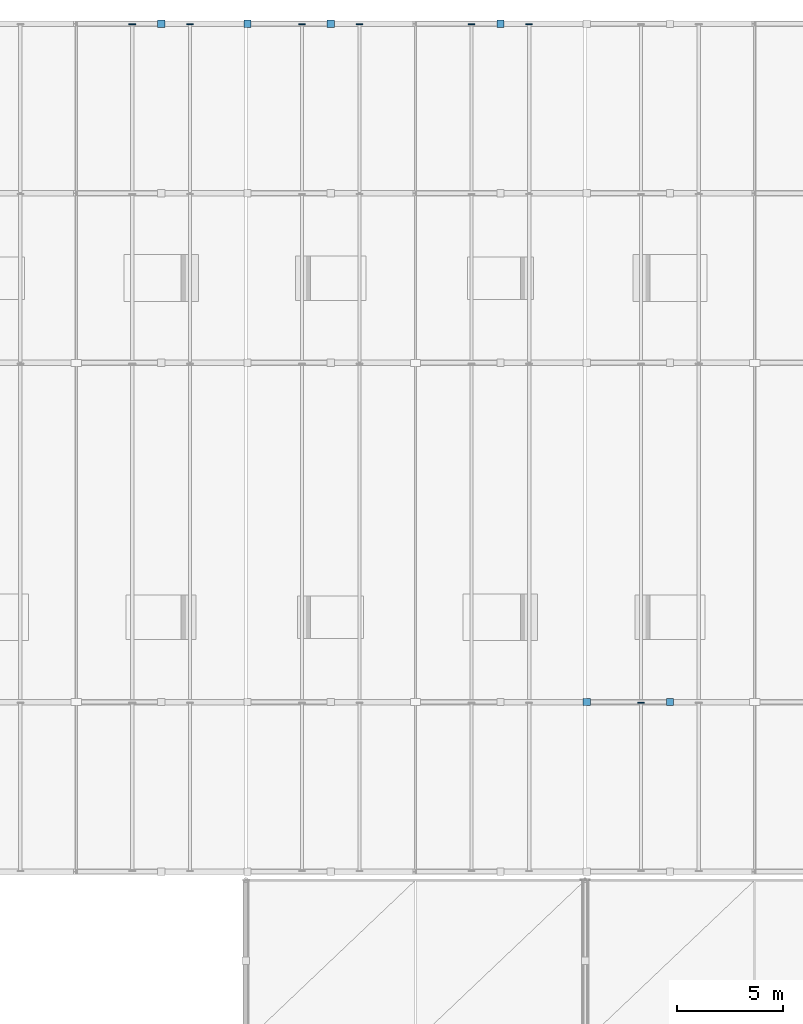
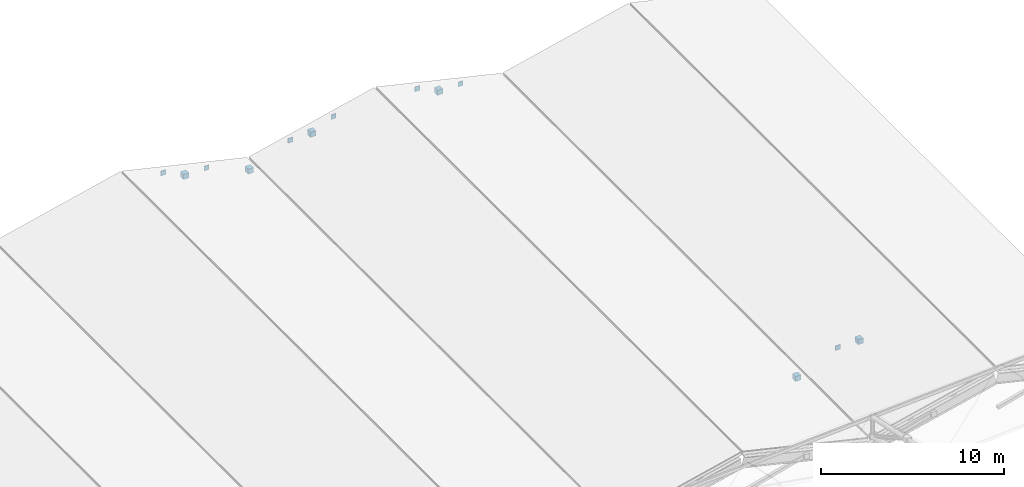
# One storey, part 56 of 67: 13 discrete accessories.
"""IFC4 building model written with IfcOpenShell, lengths in metres."""

import ifcopenshell
import ifcopenshell.guid

model = None  # the IFC model being written
_history = None  # IfcOwnerHistory: only IFC2X3 demands one
_inside = {}  # id of a spatial element -> (the spatial element, [elements in it])
_under = {}  # id of a project, library or spatial element -> (it, [spatial elements below it])
_declared = {}  # id of a project -> (the project, [libraries it declares])
_typed = {}  # id of a type object -> (the type object, [elements of that type])
_made_of = {}  # id of a material, layer set ... -> (it, [elements and type objects made of it])


def new_model(schema):
    """Start an empty IFC model of exactly this schema.

    Asked for "IFC4X3", IfcOpenShell would pick the latest addendum, in which some entities
    have other attributes; the version numbers below select the first issue.
    IFC2X3 requires an IfcOwnerHistory on every rooted entity: one is made here for all.
    """
    global model, _history
    if schema == "IFC4X3":
        model = ifcopenshell.file(schema_version=(4, 3, 0, 0))
    else:
        model = ifcopenshell.file(schema=schema)
    _inside.clear()
    _under.clear()
    _declared.clear()
    _typed.clear()
    _made_of.clear()
    _history = None
    if model.schema == "IFC2X3":
        org = make("IfcOrganization", Name="unknown")
        user = make(
            "IfcPersonAndOrganization",
            ThePerson=make("IfcPerson", FamilyName="unknown"),
            TheOrganization=org,
        )
        app = make(
            "IfcApplication",
            ApplicationDeveloper=org,
            Version="unknown",
            ApplicationFullName="unknown",
            ApplicationIdentifier="unknown",
        )
        _history = make(
            "IfcOwnerHistory",
            OwningUser=user,
            OwningApplication=app,
            ChangeAction="ADDED",
            CreationDate=0,
        )
    return model


def make(cls, **values):
    """One entity of the class cls with the attributes given. An attribute that is None is left unset."""
    return model.create_entity(
        cls, **{name: value for name, value in values.items() if value is not None}
    )


def rooted(cls, **values):
    """An entity with a GlobalId (a new one), such as an element, a storey or a relation."""
    return make(cls, GlobalId=ifcopenshell.guid.new(), OwnerHistory=_history, **values)


def si_unit(unit_type, name, prefix=None):
    """IfcSIUnit, for example si_unit("LENGTHUNIT", "METRE", prefix="MILLI")."""
    return make("IfcSIUnit", UnitType=unit_type, Prefix=prefix, Name=name)


def assignment(units):
    """IfcUnitAssignment: the units of a project."""
    return None if units is None else make("IfcUnitAssignment", Units=units)


def point(xyz):
    """IfcCartesianPoint."""
    return None if xyz is None else make("IfcCartesianPoint", Coordinates=xyz)


def direction(xyz):
    """IfcDirection."""
    return None if xyz is None else make("IfcDirection", DirectionRatios=xyz)


def frame(location, z_axis=None, x_axis=None):
    """IfcAxis2Placement3D, a coordinate frame: its origin and axes. An axis left out is left unset."""
    return make(
        "IfcAxis2Placement3D",
        Location=point(location),
        Axis=direction(z_axis),
        RefDirection=direction(x_axis),
    )


def frame_2d(location, x_axis=None):
    """IfcAxis2Placement2D, a coordinate frame in the plane: its origin and x axis."""
    return make(
        "IfcAxis2Placement2D", Location=point(location), RefDirection=direction(x_axis)
    )


def origin():
    """The frame at (0, 0, 0) with its axes left unset."""
    return frame((0.0, 0.0, 0.0))


def origin_2d():
    """The frame at (0, 0) in the plane with its x axis left unset."""
    return frame_2d((0.0, 0.0))


def place(relative_to, where):
    """IfcLocalPlacement: puts the frame where relative to a parent placement (None: the world)."""
    return make(
        "IfcLocalPlacement", PlacementRelTo=relative_to, RelativePlacement=where
    )


def context(
    kind, dimensions, precision=None, world=None, true_north=None, identifier=None
):
    """IfcGeometricRepresentationContext, for example the 3D "Model" context."""
    return make(
        "IfcGeometricRepresentationContext",
        ContextIdentifier=identifier,
        ContextType=kind,
        CoordinateSpaceDimension=dimensions,
        Precision=precision,
        WorldCoordinateSystem=world,
        TrueNorth=true_north,
    )


def subcontext(parent, identifier, kind, view, scale=None):
    """IfcGeometricRepresentationSubContext, for example "Body" below "Model"."""
    return make(
        "IfcGeometricRepresentationSubContext",
        ContextIdentifier=identifier,
        ContextType=kind,
        ParentContext=parent,
        TargetScale=scale,
        TargetView=view,
    )


def project(units=None, contexts=None):
    """IfcProject with its units and contexts."""
    return rooted(
        "IfcProject",
        Name="project",
        RepresentationContexts=contexts,
        UnitsInContext=assignment(units),
    )


def spatial(cls, under=None, at=None, **own):
    """A site, building, storey or space (cls), placed at a placement, below another one or the project."""
    s = rooted(cls, ObjectPlacement=at, **own)
    if under is not None:
        _under.setdefault(under.id(), (under, []))[1].append(s)
    return s


def profile(cls, at=None, kind="AREA", **sizes):
    """A parametric profile (cls). Its sizes go by their IFC names, for example OverallWidth=200.0."""
    return make(cls, ProfileType=kind, Position=at, **sizes)


def rectangle(**sizes):
    """IfcRectangleProfileDef."""
    return profile("IfcRectangleProfileDef", **sizes)


def extrude(swept, where, along, depth):
    """IfcExtrudedAreaSolid: the profile swept, set in the frame where, extruded along a direction by depth."""
    return make(
        "IfcExtrudedAreaSolid",
        SweptArea=swept,
        Position=where,
        ExtrudedDirection=direction(along),
        Depth=depth,
    )


def shape(context_of_items, identifier, shape_type, items):
    """IfcShapeRepresentation: the items that make up one representation, for example the "Body"."""
    return make(
        "IfcShapeRepresentation",
        ContextOfItems=context_of_items,
        RepresentationIdentifier=identifier,
        RepresentationType=shape_type,
        Items=items,
    )


def material(Name=None, Category=None):
    """IfcMaterial."""
    return make("IfcMaterial", Name=Name, Category=Category)


def made_of(thing, what):
    """Note that an element or type object is made of a material, layer set ...; save() writes the relation."""
    if what is not None:
        _made_of.setdefault(what.id(), (what, []))[1].append(thing)
    return thing


def type_object(cls, material=None, **own):
    """A type object (cls), such as IfcWallType, which elements share."""
    return made_of(rooted(cls, **own), material)


def element(
    cls,
    number,
    at=None,
    inside=None,
    cuts=None,
    type_object=None,
    material=None,
    context=None,
    identifier="Body",
    shape_type=None,
    held_by="IfcProductDefinitionShape",
    body=None,
    shapes=None,
    **own,
):
    """One element of the class cls, such as IfcWall. Its Tag is "e" and its number.

    at: its placement. inside: the storey or other place that contains it. cuts: it is an
    opening in that element (IfcRelVoidsElement). A single representation is given by context,
    identifier, shape_type and body (its items); several are given by shapes. held_by: the class
    of the entity that holds the representations. save() writes the other relations.
    """
    e = rooted(cls, Tag="e%d" % number, ObjectPlacement=at, **own)
    if body is not None:
        shapes = [shape(context, identifier, shape_type, body)]
    if shapes is not None:
        e.Representation = make(held_by, Representations=shapes)
    if inside is not None:
        _inside.setdefault(inside.id(), (inside, []))[1].append(e)
    if cuts is not None:
        rooted(
            "IfcRelVoidsElement", RelatingBuildingElement=cuts, RelatedOpeningElement=e
        )
    if type_object is not None:
        _typed.setdefault(type_object.id(), (type_object, []))[1].append(e)
    return made_of(e, material)


def aggregate(whole, parts):
    """IfcRelAggregates: a whole, such as a stair, and the parts it consists of."""
    return rooted("IfcRelAggregates", RelatingObject=whole, RelatedObjects=parts)


def save(model, path):
    """Write the relations noted so far, then the file.

    IfcRelAggregates (storeys below a building ...), IfcRelContainedInSpatialStructure (elements
    in a storey), IfcRelDefinesByType, IfcRelAssociatesMaterial and IfcRelDeclares: one each for
    every whole, place, type object, material and project.
    """
    for whole, parts in _under.values():
        aggregate(whole, parts)
    for where, things in _inside.values():
        rooted(
            "IfcRelContainedInSpatialStructure",
            RelatedElements=things,
            RelatingStructure=where,
        )
    for kind, things in _typed.values():
        rooted("IfcRelDefinesByType", RelatedObjects=things, RelatingType=kind)
    for what, things in _made_of.values():
        rooted("IfcRelAssociatesMaterial", RelatedObjects=things, RelatingMaterial=what)
    for by, libraries in _declared.values():
        rooted("IfcRelDeclares", RelatingContext=by, RelatedDefinitions=libraries)
    model.write(path)


model = new_model("IFC4")

# Units and contexts
model_context = context("Model", 3, precision=1e-05, world=origin(), true_north=direction((0.0, 1.0)))
body_context = subcontext(model_context, "Body", "Model", "MODEL_VIEW")
ifc_project = project(units=[si_unit("LENGTHUNIT", "METRE"), si_unit("AREAUNIT", "SQUARE_METRE"), si_unit("VOLUMEUNIT", "CUBIC_METRE"), si_unit("PLANEANGLEUNIT", "RADIAN"), si_unit("MASSUNIT", "GRAM", prefix="KILO")], contexts=[model_context])

# Site, building, storey
site_placement = place(None, origin())
site = spatial("IfcSite", under=ifc_project, at=site_placement, CompositionType="ELEMENT")
building_placement = place(site_placement, origin())
building = spatial("IfcBuilding", under=site, at=building_placement, Name="Drelvath Fold Interchange", CompositionType="ELEMENT")
storey_placement = place(building_placement, frame((0.0, 0.0, 15.60009765625)))
storey = spatial("IfcBuildingStorey", under=building, at=storey_placement, Name="L03", CompositionType="ELEMENT", Elevation=15.60009765625)

# Discrete accessories
ifc_material = material(Name="Steel ASTM A572 Grade 50", Category="steel")
discrete_accessory_type = type_object("IfcDiscreteAccessoryType", Name="AC-CAP380", PredefinedType="BRACKET", material=ifc_material)
discrete_accessory_1_placement = place(storey_placement, frame((48.0048828125, 99.0, 0.654296875), z_axis=(0.0, 0.0, 1.0), x_axis=(1.0, 0.0, 0.0)))
element("IfcDiscreteAccessory", 1, at=discrete_accessory_1_placement, inside=storey, type_object=discrete_accessory_type, Name="Welded hollow member end cap 413", PredefinedType="BRACKET", context=body_context, shape_type="SweptSolid", body=[
    extrude(rectangle(XDim=0.343017578125, YDim=0.343017578125, at=origin_2d()), origin(), (0.0, 0.0, 1.0), 0.343017578125),
])
for number, where, z_axis, x_axis, name in (
    (2, (46.639892578125, 98.965087890625, 1.2998046875), (0.0, 0.0, 1.0), (1.0, 0.0, 0.0), "Welded hollow member end cap 418"),
    (3, (49.360107421875, 98.965087890625, 0.6708984375), (0.0, 0.0, 1.0), (1.0, 0.0, 0.0), "Welded hollow member end cap 423"),
):
    element("IfcDiscreteAccessory", number, at=place(storey_placement, frame(where, z_axis=z_axis, x_axis=x_axis)), inside=storey, type_object=discrete_accessory_type, Name=name, PredefinedType="BRACKET", context=body_context, shape_type="SweptSolid", body=[
        extrude(rectangle(XDim=0.31396484375, YDim=0.0400390625, at=origin_2d()), origin(), (0.0, 0.0, 1.0), 0.31396484375),
    ])
for number, where, z_axis, x_axis, name in (
    (4, (52.074951171875, 99.0, -0.42236328125), (0.0, 0.0, 1.0), (1.0, 0.0, 0.0), "Welded hollow member end cap 437"),
    (5, (56.0048828125, 99.0, 0.654296875), (0.0, 0.0, 1.0), (1.0, 0.0, 0.0), "Welded hollow member end cap 438"),
):
    element("IfcDiscreteAccessory", number, at=place(storey_placement, frame(where, z_axis=z_axis, x_axis=x_axis)), inside=storey, type_object=discrete_accessory_type, Name=name, PredefinedType="BRACKET", context=body_context, shape_type="SweptSolid", body=[
        extrude(rectangle(XDim=0.343017578125, YDim=0.343017578125, at=origin_2d()), origin(), (0.0, 0.0, 1.0), 0.343017578125),
    ])
for number, where, z_axis, x_axis, name in (
    (6, (54.639892578125, 98.965087890625, 0.6708984375), (0.0, 0.0, 1.0), (1.0, 0.0, 0.0), "Welded hollow member end cap 443"),
    (7, (57.360107421875, 98.965087890625, 1.2998046875), (0.0, 0.0, 1.0), (1.0, 0.0, 0.0), "Welded hollow member end cap 448"),
):
    element("IfcDiscreteAccessory", number, at=place(storey_placement, frame(where, z_axis=z_axis, x_axis=x_axis)), inside=storey, type_object=discrete_accessory_type, Name=name, PredefinedType="BRACKET", context=body_context, shape_type="SweptSolid", body=[
        extrude(rectangle(XDim=0.31396484375, YDim=0.0400390625, at=origin_2d()), origin(), (0.0, 0.0, 1.0), 0.31396484375),
    ])
discrete_accessory_2_placement = place(storey_placement, frame((64.0048828125, 99.0, 0.654296875), z_axis=(0.0, 0.0, 1.0), x_axis=(1.0, 0.0, 0.0)))
element("IfcDiscreteAccessory", 8, at=discrete_accessory_2_placement, inside=storey, type_object=discrete_accessory_type, Name="Welded hollow member end cap 458", PredefinedType="BRACKET", context=body_context, shape_type="SweptSolid", body=[
    extrude(rectangle(XDim=0.343017578125, YDim=0.343017578125, at=origin_2d()), origin(), (0.0, 0.0, 1.0), 0.343017578125),
])
for number, where, z_axis, x_axis, name in (
    (9, (62.639892578125, 98.965087890625, 1.2998046875), (0.0, 0.0, 1.0), (1.0, 0.0, 0.0), "Welded hollow member end cap 463"),
    (10, (65.360107421875, 98.965087890625, 0.6708984375), (0.0, 0.0, 1.0), (1.0, 0.0, 0.0), "Welded hollow member end cap 468"),
):
    element("IfcDiscreteAccessory", number, at=place(storey_placement, frame(where, z_axis=z_axis, x_axis=x_axis)), inside=storey, type_object=discrete_accessory_type, Name=name, PredefinedType="BRACKET", context=body_context, shape_type="SweptSolid", body=[
        extrude(rectangle(XDim=0.31396484375, YDim=0.0400390625, at=origin_2d()), origin(), (0.0, 0.0, 1.0), 0.31396484375),
    ])
for number, where, z_axis, x_axis, name in (
    (11, (68.074951171875, 67.0, -0.42236328125), (0.0, 0.0, 1.0), (1.0, 0.0, 0.0), "Welded hollow member end cap 473"),
    (12, (72.0048828125, 67.0, 0.654296875), (0.0, 0.0, 1.0), (1.0, 0.0, 0.0), "Welded hollow member end cap 474"),
):
    element("IfcDiscreteAccessory", number, at=place(storey_placement, frame(where, z_axis=z_axis, x_axis=x_axis)), inside=storey, type_object=discrete_accessory_type, Name=name, PredefinedType="BRACKET", context=body_context, shape_type="SweptSolid", body=[
        extrude(rectangle(XDim=0.343017578125, YDim=0.343017578125, at=origin_2d()), origin(), (0.0, 0.0, 1.0), 0.343017578125),
    ])
discrete_accessory_3_placement = place(storey_placement, frame((70.639892578125, 66.965087890625, 0.6708984375), z_axis=(0.0, 0.0, 1.0), x_axis=(1.0, 0.0, 0.0)))
element("IfcDiscreteAccessory", 13, at=discrete_accessory_3_placement, inside=storey, type_object=discrete_accessory_type, Name="Welded hollow member end cap 485", PredefinedType="BRACKET", context=body_context, shape_type="SweptSolid", body=[
    extrude(rectangle(XDim=0.31396484375, YDim=0.0400390625, at=origin_2d()), origin(), (0.0, 0.0, 1.0), 0.31396484375),
])

save(model, "model.ifc")
